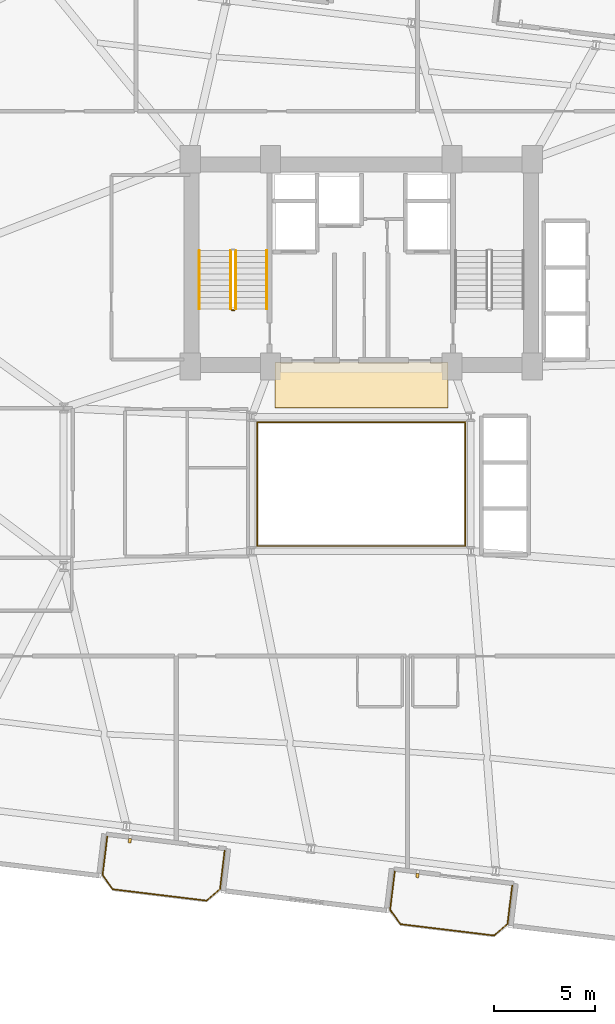
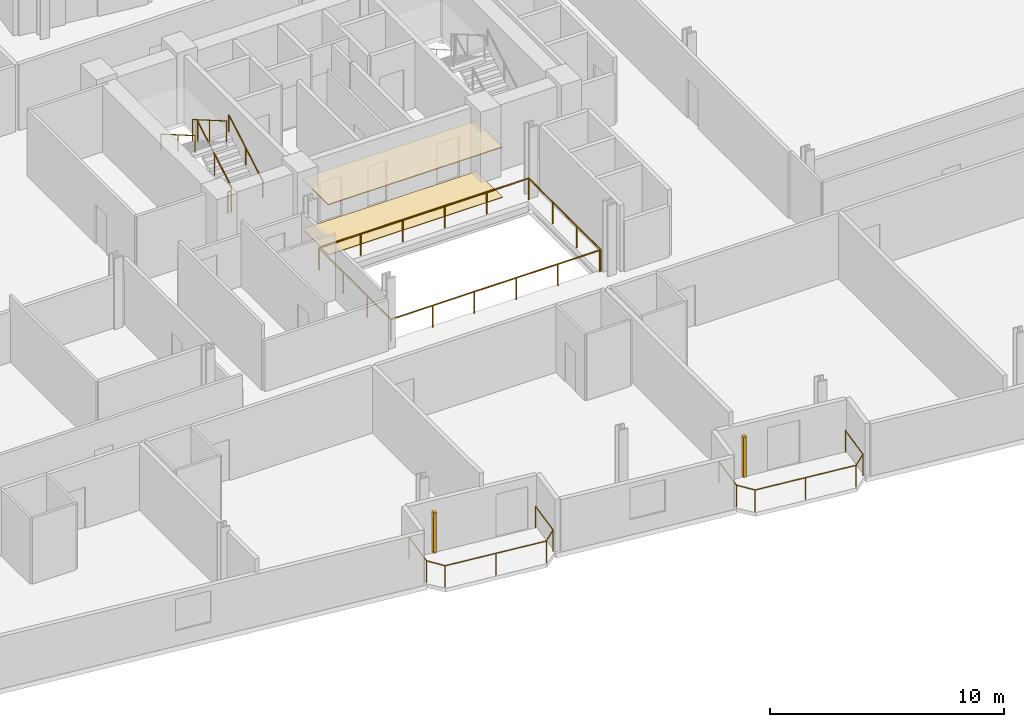
# One storey, part 24 of 25: 9 railings, 2 coverings, 2 shading devices.
"""IFC4 building model written with IfcOpenShell, lengths in metres."""

from ifc_helpers import new_model, si_unit, direction, frame, origin, origin_2d, place, context, subcontext, project, spatial, rectangle, circle, extrude, source, transform, mapped, material, layer, layer_set, type_object, element, save


model = new_model("IFC4")

# Units and contexts
model_context = context("Model", 3, precision=1e-05, world=origin(), true_north=direction((0.0, 1.0)))
body_context = subcontext(model_context, "Body", "Model", "MODEL_VIEW")
ifc_project = project(units=[si_unit("LENGTHUNIT", "METRE"), si_unit("AREAUNIT", "SQUARE_METRE"), si_unit("VOLUMEUNIT", "CUBIC_METRE"), si_unit("PLANEANGLEUNIT", "RADIAN"), si_unit("MASSUNIT", "GRAM", prefix="KILO")], contexts=[model_context])

# Site, building, storey
site_placement = place(None, origin())
site = spatial("IfcSite", under=ifc_project, at=site_placement, CompositionType="ELEMENT")
building_placement = place(site_placement, origin())
building = spatial("IfcBuilding", under=site, at=building_placement, Name="Varnelok Gate Tower", CompositionType="ELEMENT")
storey_placement = place(building_placement, frame((0.0, 0.0, 136.5)))
storey = spatial("IfcBuildingStorey", under=building, at=storey_placement, Name="L34", CompositionType="ELEMENT", Elevation=136.5)

# Railings
ifc_material_1 = material(Name="Tempered Laminated Balustrade Glass", Category="glass")
railing_type_1 = type_object("IfcRailingType", Name="RL-ATR-GUARD1150", PredefinedType="GUARDRAIL", material=ifc_material_1)
railing_1_placement = place(storey_placement, frame((34.02001953125, 25.929931640625, 0.0)))
element("IfcRailing", 1, at=railing_1_placement, inside=storey, type_object=railing_type_1, Name="L34 Internal Atrium South-West Guardrail", PredefinedType="GUARDRAIL", context=body_context, shape_type="SweptSolid", body=[
    extrude(circle(Radius=0.02392578125, at=origin_2d()), frame((0.0, 0.0, 1.1259765625), z_axis=(0.0, -1.0, 0.0), x_axis=(1.0, 0.0, 0.0)), (0.0, 0.0, 1.0), 6.10986328125),
    extrude(circle(Radius=0.02392578125, at=origin_2d()), frame((0.0, -6.10986328125, 1.1259765625), z_axis=(1.0, 0.0, 0.0), x_axis=(0.0, 1.0, 0.0)), (0.0, 0.0, 1.0), 10.31005859375),
    extrude(circle(Radius=0.02099609375, at=origin_2d()), origin(), (0.0, 0.0, 1.0), 1.101806640625),
    extrude(circle(Radius=0.02099609375, at=origin_2d()), frame((0.0, -2.03662109375, 0.0)), (0.0, 0.0, 1.0), 1.101806640625),
    extrude(circle(Radius=0.02099609375, at=origin_2d()), frame((0.0, -4.0732421875, 0.0)), (0.0, 0.0, 1.0), 1.101806640625),
    extrude(circle(Radius=0.02099609375, at=origin_2d()), frame((0.0, -6.10986328125, 0.0)), (0.0, 0.0, 1.0), 1.101806640625),
    extrude(circle(Radius=0.02099609375, at=origin_2d()), frame((2.06201171875, -6.10986328125, 0.0)), (0.0, 0.0, 1.0), 1.101806640625),
    extrude(circle(Radius=0.02099609375, at=origin_2d()), frame((4.1240234375, -6.10986328125, 0.0)), (0.0, 0.0, 1.0), 1.101806640625),
    extrude(circle(Radius=0.02099609375, at=origin_2d()), frame((6.18603515625, -6.10986328125, 0.0)), (0.0, 0.0, 1.0), 1.101806640625),
    extrude(circle(Radius=0.02099609375, at=origin_2d()), frame((8.248046875, -6.10986328125, 0.0)), (0.0, 0.0, 1.0), 1.101806640625),
    extrude(circle(Radius=0.02099609375, at=origin_2d()), frame((10.31005859375, -6.10986328125, 0.0)), (0.0, 0.0, 1.0), 1.101806640625),
])
railing_2_placement = place(storey_placement, frame((44.3798828125, 19.820068359375, 0.0)))
element("IfcRailing", 2, at=railing_2_placement, inside=storey, type_object=railing_type_1, Name="L34 Internal Atrium North-East Guardrail", PredefinedType="GUARDRAIL", context=body_context, shape_type="SweptSolid", body=[
    extrude(circle(Radius=0.02392578125, at=origin_2d()), frame((0.0, 0.0, 1.1259765625), z_axis=(0.0, 1.0, 0.0), x_axis=(-1.0, 0.0, 0.0)), (0.0, 0.0, 1.0), 6.159912109375),
    extrude(circle(Radius=0.02392578125, at=origin_2d()), frame((0.0, 6.159912109375, 1.1259765625), z_axis=(-1.0, 0.0, 0.0), x_axis=(0.0, -1.0, 0.0)), (0.0, 0.0, 1.0), 10.35986328125),
    extrude(circle(Radius=0.02099609375, at=origin_2d()), origin(), (0.0, 0.0, 1.0), 1.101806640625),
    extrude(circle(Radius=0.02099609375, at=origin_2d()), frame((0.0, 2.05322265625, 0.0)), (0.0, 0.0, 1.0), 1.101806640625),
    extrude(circle(Radius=0.02099609375, at=origin_2d()), frame((0.0, 4.106689453125, 0.0)), (0.0, 0.0, 1.0), 1.101806640625),
    extrude(circle(Radius=0.02099609375, at=origin_2d()), frame((0.0, 6.159912109375, 0.0)), (0.0, 0.0, 1.0), 1.101806640625),
    extrude(circle(Radius=0.02099609375, at=origin_2d()), frame((-2.072021484375, 6.159912109375, 0.0)), (0.0, 0.0, 1.0), 1.101806640625),
    extrude(circle(Radius=0.02099609375, at=origin_2d()), frame((-4.14404296875, 6.159912109375, 0.0)), (0.0, 0.0, 1.0), 1.101806640625),
    extrude(circle(Radius=0.02099609375, at=origin_2d()), frame((-6.2158203125, 6.159912109375, 0.0)), (0.0, 0.0, 1.0), 1.101806640625),
    extrude(circle(Radius=0.02099609375, at=origin_2d()), frame((-8.287841796875, 6.159912109375, 0.0)), (0.0, 0.0, 1.0), 1.101806640625),
    extrude(circle(Radius=0.02099609375, at=origin_2d()), frame((-10.35986328125, 6.159912109375, 0.0)), (0.0, 0.0, 1.0), 1.101806640625),
])
ifc_material_2 = material(Name="Low-E Laminated Double Glazing IGU", Category="glass")
railing_type_2 = type_object("IfcRailingType", Name="RL-BALC-1150", PredefinedType="BALUSTRADE", material=ifc_material_2)
railing_3_placement = place(storey_placement, frame((26.5703125, 5.375, 0.0)))
element("IfcRailing", 3, at=railing_3_placement, inside=storey, type_object=railing_type_2, Name="L34 South Terrace Balustrade 1", PredefinedType="BALUSTRADE", context=body_context, shape_type="SweptSolid", body=[
    extrude(circle(Radius=0.02392578125, at=origin_2d()), frame((0.0, 0.0, 1.1259765625), z_axis=(-0.120293392036, -0.992738384386, 0.0), x_axis=(0.992738384386, -0.120293392036, 0.0)), (0.0, 0.0, 1.0), 1.919921875),
    extrude(circle(Radius=0.02392578125, at=origin_2d()), frame((-0.23095703125, -1.906005859375, 1.1259765625), z_axis=(0.577971037086, -0.816057277579, 0.0), x_axis=(0.816057277579, 0.577971037086, 0.0)), (0.0, 0.0, 1.0), 0.877685546875),
    extrude(circle(Radius=0.02392578125, at=origin_2d()), frame((0.2763671875, -2.622314453125, 1.1259765625), z_axis=(0.992737542139, -0.120300342591, 0.0), x_axis=(0.120300342591, 0.992737542139, 0.0)), (0.0, 0.0, 1.0), 4.7001953125),
    extrude(circle(Radius=0.02392578125, at=origin_2d()), frame((4.9423828125, -3.187744140625, 1.1259765625), z_axis=(0.756303655992, 0.654220742513, 0.0), x_axis=(-0.654220742513, 0.756303655992, 0.0)), (0.0, 0.0, 1.0), 0.877685546875),
    extrude(circle(Radius=0.02392578125, at=origin_2d()), frame((5.606201171875, -2.613525390625, 1.1259765625), z_axis=(0.120418709125, 0.992723191274, 0.0), x_axis=(-0.992723191274, 0.120418709125, 0.0)), (0.0, 0.0, 1.0), 1.919921875),
    extrude(circle(Radius=0.02099609375, at=origin_2d()), origin(), (0.0, 0.0, 1.0), 1.101806640625),
    extrude(circle(Radius=0.02099609375, at=origin_2d()), frame((-0.23095703125, -1.906005859375, 0.0)), (0.0, 0.0, 1.0), 1.101806640625),
    extrude(circle(Radius=0.02099609375, at=origin_2d()), frame((0.2763671875, -2.622314453125, 0.0)), (0.0, 0.0, 1.0), 1.101806640625),
    extrude(circle(Radius=0.02099609375, at=origin_2d()), frame((2.609375, -2.905029296875, 0.0)), (0.0, 0.0, 1.0), 1.101806640625),
    extrude(circle(Radius=0.02099609375, at=origin_2d()), frame((4.9423828125, -3.187744140625, 0.0)), (0.0, 0.0, 1.0), 1.101806640625),
    extrude(circle(Radius=0.02099609375, at=origin_2d()), frame((5.606201171875, -2.613525390625, 0.0)), (0.0, 0.0, 1.0), 1.101806640625),
    extrude(circle(Radius=0.02099609375, at=origin_2d()), frame((5.83740234375, -0.70751953125, 0.0)), (0.0, 0.0, 1.0), 1.101806640625),
])
railing_4_placement = place(storey_placement, frame((40.86572265625, 3.64208984375, 0.0)))
element("IfcRailing", 4, at=railing_4_placement, inside=storey, type_object=railing_type_2, Name="L34 South Terrace Balustrade 2", PredefinedType="BALUSTRADE", context=body_context, shape_type="SweptSolid", body=[
    extrude(circle(Radius=0.02392578125, at=origin_2d()), frame((0.0, 0.0, 1.1259765625), z_axis=(-0.120418709125, -0.992723191274, 0.0), x_axis=(0.992723191274, -0.120418709125, 0.0)), (0.0, 0.0, 1.0), 1.919921875),
    extrude(circle(Radius=0.02392578125, at=origin_2d()), frame((-0.231201171875, -1.906005859375, 1.1259765625), z_axis=(0.57815621837, -0.815926091726, 0.0), x_axis=(0.815926091726, 0.57815621837, 0.0)), (0.0, 0.0, 1.0), 0.8779296875),
    extrude(circle(Radius=0.02392578125, at=origin_2d()), frame((0.2763671875, -2.622314453125, 1.1259765625), z_axis=(0.99273133746, -0.120351533534, 0.0), x_axis=(0.120351533534, 0.99273133746, 0.0)), (0.0, 0.0, 1.0), 4.7001953125),
    extrude(circle(Radius=0.02392578125, at=origin_2d()), frame((4.9423828125, -3.18798828125, 1.1259765625), z_axis=(0.756166036083, 0.654379802465, 0.0), x_axis=(-0.654379802465, 0.756166036083, 0.0)), (0.0, 0.0, 1.0), 0.8779296875),
    extrude(circle(Radius=0.02392578125, at=origin_2d()), frame((5.606201171875, -2.613525390625, 1.1259765625), z_axis=(0.120293392036, 0.992738384386, 0.0), x_axis=(-0.992738384386, 0.120293392036, 0.0)), (0.0, 0.0, 1.0), 1.919921875),
    extrude(circle(Radius=0.02099609375, at=origin_2d()), origin(), (0.0, 0.0, 1.0), 1.101806640625),
    extrude(circle(Radius=0.02099609375, at=origin_2d()), frame((-0.231201171875, -1.906005859375, 0.0)), (0.0, 0.0, 1.0), 1.101806640625),
    extrude(circle(Radius=0.02099609375, at=origin_2d()), frame((0.2763671875, -2.622314453125, 0.0)), (0.0, 0.0, 1.0), 1.101806640625),
    extrude(circle(Radius=0.02099609375, at=origin_2d()), frame((2.609375, -2.9052734375, 0.0)), (0.0, 0.0, 1.0), 1.101806640625),
    extrude(circle(Radius=0.02099609375, at=origin_2d()), frame((4.9423828125, -3.18798828125, 0.0)), (0.0, 0.0, 1.0), 1.101806640625),
    extrude(circle(Radius=0.02099609375, at=origin_2d()), frame((5.606201171875, -2.613525390625, 0.0)), (0.0, 0.0, 1.0), 1.101806640625),
    extrude(circle(Radius=0.02099609375, at=origin_2d()), frame((5.837158203125, -0.70751953125, 0.0)), (0.0, 0.0, 1.0), 1.101806640625),
])
ifc_material_3 = material(Name="Brushed Stainless Steel AISI 316", Category="steel")
railing_type_3 = type_object("IfcRailingType", Name="RL-HANDRAIL-900", PredefinedType="HANDRAIL", material=ifc_material_3)
railing_5_placement = place(storey_placement, frame((34.5, 31.60009765625, 0.168212890625)))
element("IfcRailing", 5, at=railing_5_placement, inside=storey, type_object=railing_type_3, Name="L34 ST-1 stair handrail 1", PredefinedType="HANDRAIL", context=body_context, shape_type="SweptSolid", body=[
    extrude(circle(Radius=0.02392578125, at=origin_2d()), frame((0.0, 0.0, 0.8759765625), z_axis=(0.0, 0.865038774852, 0.501705010941), x_axis=(-1.0, 0.0, 0.0)), (0.0, 0.0, 1.0), 3.352294921875),
    extrude(circle(Radius=0.02099609375, at=origin_2d()), origin(), (0.0, 0.0, 1.0), 0.851806640625),
    extrude(circle(Radius=0.02099609375, at=origin_2d()), frame((0.0, 1.449951171875, 0.8408203125)), (0.0, 0.0, 1.0), 0.851806640625),
    extrude(circle(Radius=0.02099609375, at=origin_2d()), frame((0.0, 2.89990234375, 1.681884765625)), (0.0, 0.0, 1.0), 0.851806640625),
])
railing_6_placement = place(storey_placement, frame((31.14990234375, 34.5, 2.01806640625)))
element("IfcRailing", 6, at=railing_6_placement, inside=storey, type_object=railing_type_3, Name="L34 ST-1 stair handrail 2", PredefinedType="HANDRAIL", context=body_context, shape_type="SweptSolid", body=[
    extrude(circle(Radius=0.02392578125, at=origin_2d()), frame((0.0, 0.0, 0.8759765625), z_axis=(0.0, -0.865038774852, 0.501705010941), x_axis=(1.0, 0.0, 0.0)), (0.0, 0.0, 1.0), 3.352294921875),
    extrude(circle(Radius=0.02099609375, at=origin_2d()), origin(), (0.0, 0.0, 1.0), 0.851806640625),
    extrude(circle(Radius=0.02099609375, at=origin_2d()), frame((0.0, -1.449951171875, 0.8408203125)), (0.0, 0.0, 1.0), 0.851806640625),
    extrude(circle(Radius=0.02099609375, at=origin_2d()), frame((0.0, -2.89990234375, 1.681884765625)), (0.0, 0.0, 1.0), 0.851806640625),
])
ifc_material_4 = material(Name="Galvanized Steel Grade S350GD", Category="steel")
railing_type_4 = type_object("IfcRailingType", Name="RL-STAIR-GUARD1120", PredefinedType="GUARDRAIL", material=ifc_material_4)
railing_7_placement = place(storey_placement, frame((32.949951171875, 31.60009765625, 0.168212890625)))
element("IfcRailing", 7, at=railing_7_placement, inside=storey, type_object=railing_type_4, Name="L34 ST-1 stair guard 1", PredefinedType="GUARDRAIL", context=body_context, shape_type="SweptSolid", body=[
    extrude(circle(Radius=0.02392578125, at=origin_2d()), frame((0.0, 0.0, 1.09619140625), z_axis=(0.0, 0.865038774852, 0.501705010941), x_axis=(-1.0, 0.0, 0.0)), (0.0, 0.0, 1.0), 3.352294921875),
    extrude(circle(Radius=0.02099609375, at=origin_2d()), origin(), (0.0, 0.0, 1.0), 1.072021484375),
    extrude(circle(Radius=0.02099609375, at=origin_2d()), frame((0.0, 1.449951171875, 0.8408203125)), (0.0, 0.0, 1.0), 1.072021484375),
    extrude(circle(Radius=0.02099609375, at=origin_2d()), frame((0.0, 2.89990234375, 1.681884765625)), (0.0, 0.0, 1.0), 1.072021484375),
])
railing_8_placement = place(storey_placement, frame((32.699951171875, 34.5, 2.01806640625)))
element("IfcRailing", 8, at=railing_8_placement, inside=storey, type_object=railing_type_4, Name="L34 ST-1 stair guard 3", PredefinedType="GUARDRAIL", context=body_context, shape_type="SweptSolid", body=[
    extrude(circle(Radius=0.02392578125, at=origin_2d()), frame((0.0, 0.0, 1.09619140625), z_axis=(0.0, -0.865038774852, 0.501705010941), x_axis=(1.0, 0.0, 0.0)), (0.0, 0.0, 1.0), 3.352294921875),
    extrude(circle(Radius=0.02099609375, at=origin_2d()), origin(), (0.0, 0.0, 1.0), 1.072021484375),
    extrude(circle(Radius=0.02099609375, at=origin_2d()), frame((0.0, -1.449951171875, 0.8408203125)), (0.0, 0.0, 1.0), 1.072021484375),
    extrude(circle(Radius=0.02099609375, at=origin_2d()), frame((0.0, -2.89990234375, 1.681884765625)), (0.0, 0.0, 1.0), 1.072021484375),
])
railing_9_placement = place(storey_placement, frame((32.89990234375, 31.550048828125, 0.0)))
element("IfcRailing", 9, at=railing_9_placement, inside=storey, type_object=railing_type_4, Name="L34 ST-1 stair guard 4", PredefinedType="GUARDRAIL", context=body_context, shape_type="SweptSolid", body=[
    extrude(circle(Radius=0.02392578125, at=origin_2d()), frame((0.0, 0.0, 1.09619140625), z_axis=(-1.0, 0.0, 0.0), x_axis=(0.0, -1.0, 0.0)), (0.0, 0.0, 1.0), 0.14990234375),
    extrude(circle(Radius=0.02099609375, at=origin_2d()), origin(), (0.0, 0.0, 1.0), 1.072021484375),
    extrude(circle(Radius=0.02099609375, at=origin_2d()), frame((-0.14990234375, 0.0, 0.0)), (0.0, 0.0, 1.0), 1.072021484375),
])

# Shading devices
ifc_material_5 = material(Name="Glazed Architectural Terracotta Ceramic", Category="masonry")
shading_device_type = type_object("IfcShadingDeviceType", Name="SHD-TERRA-BAGUETTE", PredefinedType="USERDEFINED", material=ifc_material_5)
shared_shape_1 = source(origin(), body_context, "Body", "SweptSolid", [
    extrude(rectangle(XDim=0.139892578125, YDim=0.219970703125, at=origin_2d()), origin(), (0.0, 0.0, 1.0), 2.10009765625),
])
for number, where, z_axis, x_axis, name in (
    (10, (27.693603515625, 5.16845703125, 0.099853515625), (0.0, 0.0, 1.0), (0.992732158755, -0.12034475881, 0.0), "L34 Terracotta Ceramic Baguette Sunscreen 1.1"),
    (11, (41.989013671875, 3.435546875, 0.099853515625), (0.0, 0.0, 1.0), (0.992732158755, -0.12034475881, 0.0), "L34 Terracotta Ceramic Baguette Sunscreen 2.1"),
):
    element("IfcShadingDevice", number, at=place(storey_placement, frame(where, z_axis=z_axis, x_axis=x_axis)), inside=storey, type_object=shading_device_type, Name=name, ObjectType="BAGUETTE", PredefinedType="USERDEFINED", context=body_context, shape_type="MappedRepresentation", body=[
        mapped(shared_shape_1, transform((0.0, 0.0, 0.0), scale=1.0)),
    ])

# Coverings
ifc_material_6 = material(Name="Honed Travertine Stone Flooring", Category="masonry")
ifc_layer_1 = layer(ifc_material_6, 0.02490234375)
ifc_layer_set_1 = layer_set([ifc_layer_1], Name="Honed Travertine Stone Flooring")
covering_type_1 = type_object("IfcCoveringType", Name="COV-FLOR-STONE", PredefinedType="FLOORING", material=ifc_layer_set_1)
shared_shape_2 = source(origin(), body_context, "Body", "SweptSolid", [
    extrude(rectangle(XDim=8.60009765625, YDim=2.219970703125, at=origin_2d()), origin(), (0.0, 0.0, 1.0), 0.02490234375),
])
covering_1_placement = place(storey_placement, frame((39.199951171875, 27.800048828125, 0.0), z_axis=(0.0, 0.0, 1.0), x_axis=(1.0, 0.0, 0.0)))
element("IfcCovering", 12, at=covering_1_placement, inside=storey, type_object=covering_type_1, Name="L34 Core Gallery Stone Flooring", PredefinedType="FLOORING", context=body_context, shape_type="MappedRepresentation", body=[
    mapped(shared_shape_2, transform((0.0, 0.0, 0.0), scale=1.0)),
])
ifc_material_7 = material(Name="Mineral Fiber Acoustic Ceiling Tile")
ifc_layer_2 = layer(ifc_material_7, 0.0400390625)
ifc_layer_set_2 = layer_set([ifc_layer_2], Name="Mineral Fiber Acoustic Ceiling Tile")
covering_type_2 = type_object("IfcCoveringType", Name="COV-CEIL-ACOUST", PredefinedType="CEILING", material=ifc_layer_set_2)
shared_shape_3 = source(origin(), body_context, "Body", "SweptSolid", [
    extrude(rectangle(XDim=8.60009765625, YDim=2.239990234375, at=origin_2d()), origin(), (0.0, 0.0, 1.0), 0.0400390625),
])
covering_2_placement = place(storey_placement, frame((39.199951171875, 27.820068359375, 2.60009765625), z_axis=(0.0, 0.0, 1.0), x_axis=(1.0, 0.0, 0.0)))
element("IfcCovering", 13, at=covering_2_placement, inside=storey, type_object=covering_type_2, Name="L34 Core Gallery Acoustic Ceiling", PredefinedType="CEILING", context=body_context, shape_type="MappedRepresentation", body=[
    mapped(shared_shape_3, transform((0.0, 0.0, 0.0), scale=1.0)),
])

save(model, "model.ifc")
